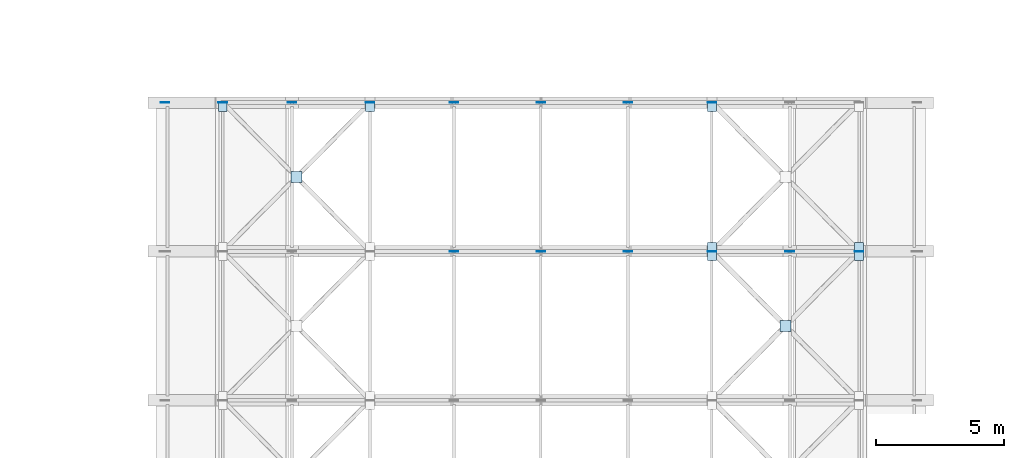
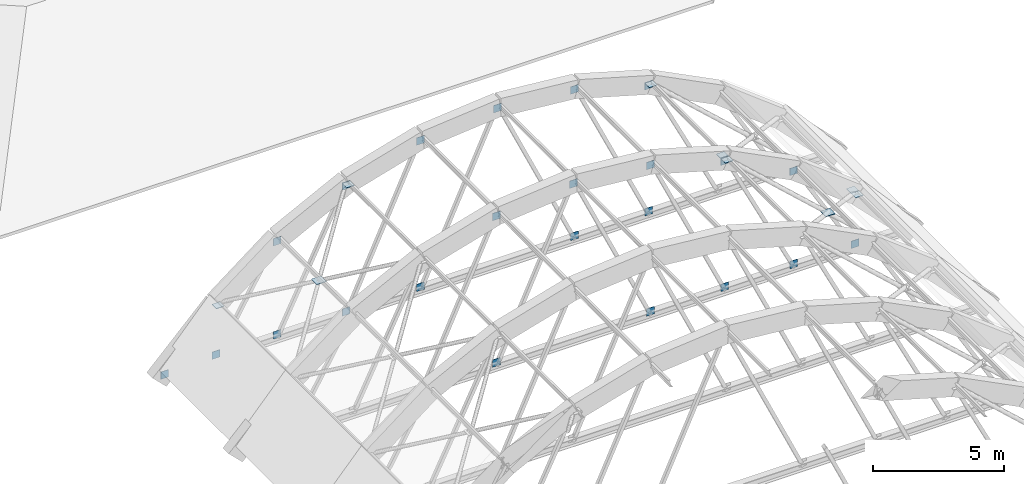
# One storey, part 38 of 81: 32 plates.
"""IFC4 building model written with IfcOpenShell, lengths in metres."""

from ifc_helpers import new_model, si_unit, direction, frame, origin, origin_2d, place, context, subcontext, project, spatial, rectangle, extrude, material, layer, layer_set, type_object, element, save


model = new_model("IFC4")

# Units and contexts
model_context = context("Model", 3, precision=1e-05, world=origin(), true_north=direction((0.0, 1.0)))
body_context = subcontext(model_context, "Body", "Model", "MODEL_VIEW")
ifc_project = project(units=[si_unit("LENGTHUNIT", "METRE"), si_unit("AREAUNIT", "SQUARE_METRE"), si_unit("VOLUMEUNIT", "CUBIC_METRE"), si_unit("PLANEANGLEUNIT", "RADIAN"), si_unit("MASSUNIT", "GRAM", prefix="KILO")], contexts=[model_context])

# Site, building, storey
site_placement = place(None, origin())
site = spatial("IfcSite", under=ifc_project, at=site_placement, CompositionType="ELEMENT")
building_placement = place(site_placement, origin())
building = spatial("IfcBuilding", under=site, at=building_placement, Name="Tanwirah Colonnade Gardens", CompositionType="ELEMENT")
storey_placement = place(building_placement, frame((0.0, 0.0, 8.840087890625)))
storey = spatial("IfcBuildingStorey", under=building, at=storey_placement, Name="L02", CompositionType="ELEMENT", Elevation=8.840087890625)

# Plates
ifc_material = material(Name="Steel S355", Category="steel")
ifc_layer_1 = layer(ifc_material, 0.02001953125)
ifc_layer_set_1 = layer_set([ifc_layer_1], Name="Steel S355")
plate_type_1 = type_object("IfcPlateType", Name="PLT-GUS20", PredefinedType="USERDEFINED", material=ifc_layer_set_1)
for number, where, z_axis, x_axis, name in (
    (1, (89.610107421875, 74.60009765625, 6.5458984375), (0.0, 0.0, 1.0), (1.0, 0.0, 0.0), "Vault Web Upper Node Gusset Plate 7.4"),
    (2, (89.610107421875, 74.60009765625, -0.27001953125), (0.0, 0.0, 1.0), (1.0, 0.0, 0.0), "Vault Web Lower Node Gusset Plate 7.5"),
    (3, (93.0, 74.60009765625, 6.86474609375), (0.0, 0.0, 1.0), (1.0, 0.0, 0.0), "Vault Web Upper Node Gusset Plate 7.5"),
    (4, (96.389892578125, 74.60009765625, -0.27001953125), (0.0, 0.0, 1.0), (1.0, 0.0, 0.0), "Vault Web Lower Node Gusset Plate 7.6"),
    (5, (99.660888671875, 74.60009765625, -0.27001953125), (0.0, 0.0, 1.0), (1.0, 0.0, 0.0), "Vault Web Lower Node Gusset Plate 7.7"),
    (6, (96.389892578125, 74.60009765625, 6.5458984375), (0.0, 0.0, 1.0), (1.0, 0.0, 0.0), "Vault Web Upper Node Gusset Plate 7.7"),
    (7, (102.6982421875, 74.60009765625, -0.27001953125), (0.0, 0.0, 1.0), (1.0, 0.0, 0.0), "Vault Web Lower Node Gusset Plate 7.8"),
    (8, (99.660888671875, 74.60009765625, 5.6005859375), (0.0, 0.0, 1.0), (1.0, 0.0, 0.0), "Vault Web Upper Node Gusset Plate 7.8"),
    (9, (105.395263671875, 74.60009765625, -0.27001953125), (0.0, 0.0, 1.0), (1.0, 0.0, 0.0), "Vault Web Lower Node Gusset Plate 7.9"),
    (10, (102.6982421875, 74.60009765625, 4.0615234375), (0.0, 0.0, 1.0), (1.0, 0.0, 0.0), "Vault Web Upper Node Gusset Plate 7.9"),
    (11, (80.604736328125, 80.39990234375, -0.27001953125), (0.0, 0.0, 1.0), (1.0, 0.0, 0.0), "Vault Web Lower Node Gusset Plate 8.2"),
    (12, (83.3017578125, 80.39990234375, 4.0615234375), (0.0, 0.0, 1.0), (1.0, 0.0, 0.0), "Vault Web Upper Node Gusset Plate 8.2"),
    (13, (83.3017578125, 80.39990234375, -0.27001953125), (0.0, 0.0, 1.0), (1.0, 0.0, 0.0), "Vault Web Lower Node Gusset Plate 8.3"),
    (14, (86.339111328125, 80.39990234375, 5.6005859375), (0.0, 0.0, 1.0), (1.0, 0.0, 0.0), "Vault Web Upper Node Gusset Plate 8.3"),
    (15, (86.339111328125, 80.39990234375, -0.27001953125), (0.0, 0.0, 1.0), (1.0, 0.0, 0.0), "Vault Web Lower Node Gusset Plate 8.4"),
    (16, (89.610107421875, 80.39990234375, 6.5458984375), (0.0, 0.0, 1.0), (1.0, 0.0, 0.0), "Vault Web Upper Node Gusset Plate 8.4"),
    (17, (89.610107421875, 80.39990234375, -0.27001953125), (0.0, 0.0, 1.0), (1.0, 0.0, 0.0), "Vault Web Lower Node Gusset Plate 8.5"),
    (18, (93.0, 80.39990234375, 6.86474609375), (0.0, 0.0, 1.0), (1.0, 0.0, 0.0), "Vault Web Upper Node Gusset Plate 8.5"),
    (19, (96.389892578125, 80.39990234375, -0.27001953125), (0.0, 0.0, 1.0), (1.0, 0.0, 0.0), "Vault Web Lower Node Gusset Plate 8.6"),
    (20, (99.660888671875, 80.39990234375, -0.27001953125), (0.0, 0.0, 1.0), (1.0, 0.0, 0.0), "Vault Web Lower Node Gusset Plate 8.7"),
    (21, (96.389892578125, 80.39990234375, 6.5458984375), (0.0, 0.0, 1.0), (1.0, 0.0, 0.0), "Vault Web Upper Node Gusset Plate 8.7"),
    (22, (99.660888671875, 80.39990234375, 5.6005859375), (0.0, 0.0, 1.0), (1.0, 0.0, 0.0), "Vault Web Upper Node Gusset Plate 8.8"),
    (23, (78.35009765625, 80.39990234375, -0.41015625), (0.0, 0.0, 1.0), (1.0, 0.0, 0.0), "Vault Arch Gusset Plate 8-W"),
):
    element("IfcPlate", number, at=place(storey_placement, frame(where, z_axis=z_axis, x_axis=x_axis)), inside=storey, type_object=plate_type_1, Name=name, ObjectType="GUSSET_PLATE", PredefinedType="USERDEFINED", context=body_context, shape_type="SweptSolid", body=[
        extrude(rectangle(XDim=0.340087890625, YDim=0.02001953125, at=origin_2d()), origin(), (0.0, 0.0, 1.0), 0.340087890625),
    ])
for number, where, z_axis, x_axis, name in (
    (24, (105.395263671875, 74.419921875, 2.283447265625), (0.0, 0.0, 1.0), (1.0, 0.0, 0.0), "Vault Brace End Gusset Plate 6.3B"),
    (25, (99.660888671875, 74.419921875, 5.900634765625), (0.0, 0.0, 1.0), (1.0, 0.0, 0.0), "Vault Brace End Gusset Plate 6.4B"),
    (26, (86.339111328125, 80.219970703125, 5.900634765625), (0.0, 0.0, 1.0), (1.0, 0.0, 0.0), "Vault Brace End Gusset Plate 7.1B"),
    (27, (80.604736328125, 80.219970703125, 2.283447265625), (0.0, 0.0, 1.0), (1.0, 0.0, 0.0), "Vault Brace End Gusset Plate 7.2B"),
    (28, (99.660888671875, 74.780029296875, 5.900634765625), (0.0, 0.0, 1.0), (1.0, 0.0, 0.0), "Vault Brace End Gusset Plate 7.3A"),
    (29, (105.395263671875, 74.780029296875, 2.283447265625), (0.0, 0.0, 1.0), (1.0, 0.0, 0.0), "Vault Brace End Gusset Plate 7.4A"),
    (30, (99.660888671875, 80.219970703125, 5.900634765625), (0.0, 0.0, 1.0), (1.0, 0.0, 0.0), "Vault Brace End Gusset Plate 7.4B"),
):
    element("IfcPlate", number, at=place(storey_placement, frame(where, z_axis=z_axis, x_axis=x_axis)), inside=storey, type_object=plate_type_1, Name=name, ObjectType="GUSSET_PLATE", PredefinedType="USERDEFINED", context=body_context, shape_type="SweptSolid", body=[
        extrude(rectangle(XDim=0.340087890625, YDim=0.340087890625, at=origin_2d()), origin(), (0.0, 0.0, 1.0), 0.02001953125),
    ])
ifc_layer_2 = layer(ifc_material, 0.02490234375)
ifc_layer_set_2 = layer_set([ifc_layer_2], Name="Steel S355")
plate_type_2 = type_object("IfcPlateType", Name="PLT-GUS25", PredefinedType="USERDEFINED", material=ifc_layer_set_2)
for number, where, z_axis, x_axis, name in (
    (31, (102.528076171875, 71.699951171875, 4.089599609375), (0.0, 0.0, 1.0), (1.0, 0.0, 0.0), "Vault X-Brace Crossing Gusset Plate 6-E"),
    (32, (83.471923828125, 77.5, 4.089599609375), (0.0, 0.0, 1.0), (1.0, 0.0, 0.0), "Vault X-Brace Crossing Gusset Plate 7-W"),
):
    element("IfcPlate", number, at=place(storey_placement, frame(where, z_axis=z_axis, x_axis=x_axis)), inside=storey, type_object=plate_type_2, Name=name, ObjectType="GUSSET_PLATE", PredefinedType="USERDEFINED", context=body_context, shape_type="SweptSolid", body=[
        extrude(rectangle(XDim=0.419921875, YDim=0.419921875, at=origin_2d()), origin(), (0.0, 0.0, 1.0), 0.02490234375),
    ])

save(model, "model.ifc")
